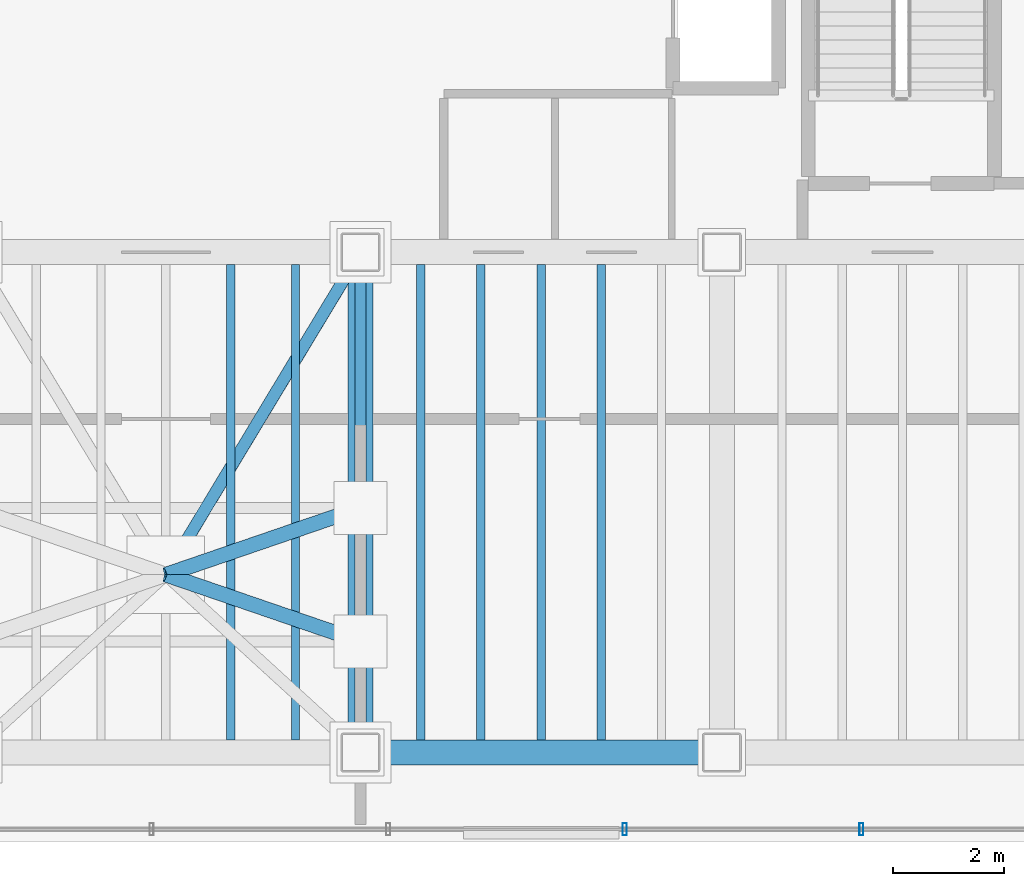
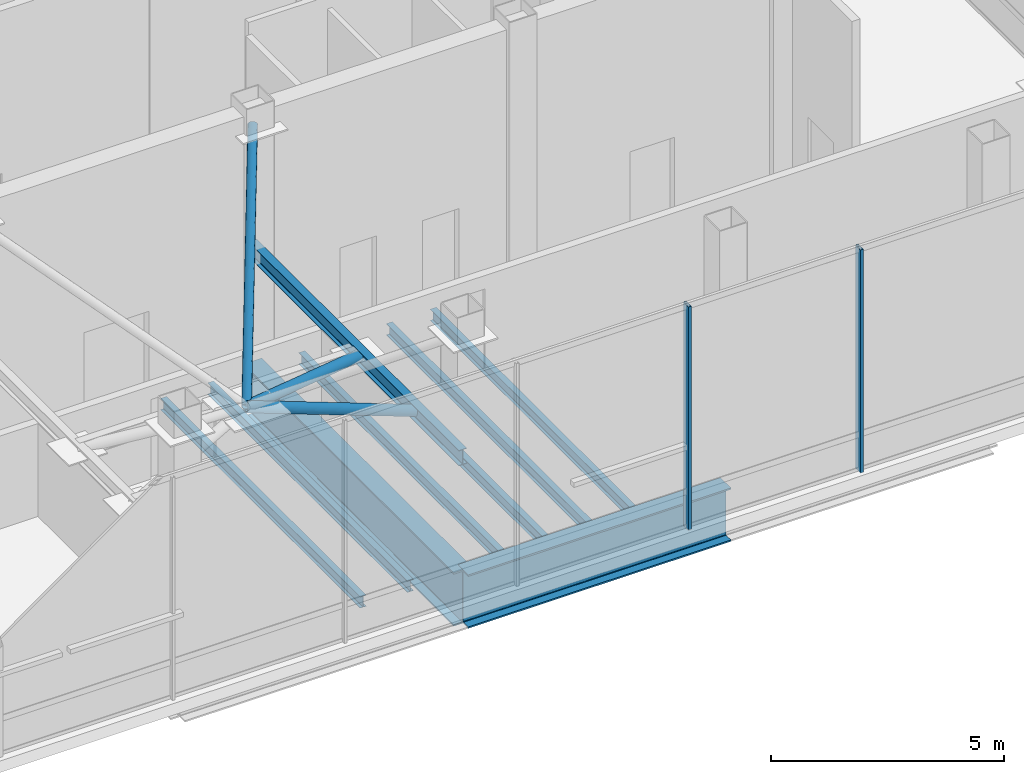
# One storey, part 9 of 19: 9 beams, 5 members, 1 element without a shape of its own.
"""IFC4 building model written with IfcOpenShell, lengths in metres."""

from ifc_helpers import new_model, si_unit, direction, frame, origin, origin_2d, place, context, subcontext, project, spatial, hollow_rectangle, hollow_circle, i_section, extrude, material, material_profile, profile_set, type_object, element, aggregate, save


model = new_model("IFC4")

# Units and contexts
model_context = context("Model", 3, precision=1e-05, world=origin(), true_north=direction((0.0, 1.0)))
body_context = subcontext(model_context, "Body", "Model", "MODEL_VIEW")
ifc_project = project(units=[si_unit("LENGTHUNIT", "METRE"), si_unit("AREAUNIT", "SQUARE_METRE"), si_unit("VOLUMEUNIT", "CUBIC_METRE"), si_unit("PLANEANGLEUNIT", "RADIAN"), si_unit("MASSUNIT", "GRAM", prefix="KILO")], contexts=[model_context])

# Site, building, storey
site_placement = place(None, origin())
site = spatial("IfcSite", under=ifc_project, at=site_placement, CompositionType="ELEMENT")
building_placement = place(site_placement, origin())
building = spatial("IfcBuilding", under=site, at=building_placement, Name="Noeulbin Bourse Tower", CompositionType="ELEMENT")
storey_placement = place(building_placement, frame((0.0, 0.0, 306.0)))
storey = spatial("IfcBuildingStorey", under=building, at=storey_placement, Name="L76", CompositionType="ELEMENT", Elevation=306.0)

# Beams
ifc_material_1 = material(Name="Steel S355", Category="steel")
ifc_material_profile_1 = material_profile(ifc_material_1, i_section(OverallWidth=0.14990234375, OverallDepth=0.300048828125, WebThickness=0.006591796875, FlangeThickness=0.009033203125, FilletRadius=0.012939453125, at=origin_2d()), Name="H-300x150x6.5x9", Category="LoadBearing")
ifc_profile_set_1 = profile_set([ifc_material_profile_1], Name="Steel S355")
beam_type_1 = type_object("IfcBeamType", Name="BM-JST-300", PredefinedType="JOIST", material=ifc_profile_set_1)
for number, where, z_axis, x_axis, name in (
    (1, (28.666748046875, 20.22509765625, -0.449951171875), (0.0, 1.0, 0.0), (-1.0, 0.0, 0.0), "Tower Composite Joist L76-07"),
    (2, (29.833251953125, 20.22509765625, -0.449951171875), (0.0, 1.0, 0.0), (-1.0, 0.0, 0.0), "Tower Composite Joist L76-09"),
    (3, (32.083251953125, 20.22509765625, -0.449951171875), (0.0, 1.0, 0.0), (-1.0, 0.0, 0.0), "Tower Composite Joist L76-11"),
    (4, (33.166748046875, 20.22509765625, -0.449951171875), (0.0, 1.0, 0.0), (-1.0, 0.0, 0.0), "Tower Composite Joist L76-13"),
    (5, (34.25, 20.22509765625, -0.449951171875), (0.0, 1.0, 0.0), (-1.0, 0.0, 0.0), "Tower Composite Joist L76-15"),
    (6, (35.333251953125, 20.22509765625, -0.449951171875), (0.0, 1.0, 0.0), (-1.0, 0.0, 0.0), "Tower Composite Joist L76-17"),
):
    element("IfcBeam", number, at=place(storey_placement, frame(where, z_axis=z_axis, x_axis=x_axis)), inside=storey, type_object=beam_type_1, Name=name, PredefinedType="JOIST", context=body_context, shape_type="SweptSolid", body=[
        extrude(i_section(OverallWidth=0.14990234375, OverallDepth=0.300048828125, WebThickness=0.006591796875, FlangeThickness=0.009033203125, FilletRadius=0.012939453125, at=origin_2d()), origin(), (0.0, 0.0, 1.0), 8.5498046875),
    ])
ifc_material_profile_2 = material_profile(ifc_material_1, i_section(OverallWidth=0.199951171875, OverallDepth=0.39990234375, WebThickness=0.008056640625, FlangeThickness=0.012939453125, FilletRadius=0.01611328125, at=origin_2d()), Name="H-400x200x8x13", Category="LoadBearing")
ifc_profile_set_2 = profile_set([ifc_material_profile_2], Name="Steel S355")
beam_type_2 = type_object("IfcBeamType", Name="BM-SEC-400", PredefinedType="BEAM", material=ifc_profile_set_2)
beam_1_placement = place(storey_placement, frame((31.0, 20.0, 2.64990234375), z_axis=(0.0, 1.0, 0.0), x_axis=(-1.0, 0.0, 0.0)))
element("IfcBeam", 7, at=beam_1_placement, inside=storey, type_object=beam_type_2, Name="TMD Overhead Ring Beam East", PredefinedType="BEAM", context=body_context, shape_type="SweptSolid", body=[
    extrude(i_section(OverallWidth=0.199951171875, OverallDepth=0.39990234375, WebThickness=0.008056640625, FlangeThickness=0.012939453125, FilletRadius=0.01611328125, at=origin_2d()), origin(), (0.0, 0.0, 1.0), 9.0),
])
ifc_material_2 = material(Name="Steel S460", Category="steel")
ifc_material_profile_3 = material_profile(ifc_material_2, i_section(OverallWidth=0.449951171875, OverallDepth=1.39990234375, WebThickness=0.02392578125, FlangeThickness=0.0400390625, FilletRadius=0.02392578125, at=origin_2d()), Name="PG-1400x450x24x40", Category="LoadBearing")
ifc_profile_set_3 = profile_set([ifc_material_profile_3], Name="Steel S460")
beam_type_3 = type_object("IfcBeamType", Name="BM-TRF-1400", PredefinedType="USERDEFINED", material=ifc_profile_set_3)
beam_2_placement = place(storey_placement, frame((31.0, 20.0, -1.0), z_axis=(1.0, 0.0, 0.0), x_axis=(0.0, 1.0, 0.0)))
element("IfcBeam", 8, at=beam_2_placement, inside=storey, type_object=beam_type_3, Name="Tower Primary Girder EW L76-1.2", ObjectType="GIRDER", PredefinedType="USERDEFINED", context=body_context, shape_type="SweptSolid", body=[
    extrude(i_section(OverallWidth=0.449951171875, OverallDepth=1.39990234375, WebThickness=0.02392578125, FlangeThickness=0.0400390625, FilletRadius=0.02392578125, at=origin_2d()), origin(), (0.0, 0.0, 1.0), 6.5),
])
beam_3_placement = place(storey_placement, frame((31.0, 20.0, -1.0), z_axis=(0.0, 1.0, 0.0), x_axis=(-1.0, 0.0, 0.0)))
element("IfcBeam", 9, at=beam_3_placement, inside=storey, type_object=beam_type_3, Name="Tower Primary Girder NS L76-3.1", ObjectType="GIRDER", PredefinedType="USERDEFINED", context=body_context, shape_type="SweptSolid", body=[
    extrude(i_section(OverallWidth=0.449951171875, OverallDepth=1.39990234375, WebThickness=0.02392578125, FlangeThickness=0.0400390625, FilletRadius=0.02392578125, at=origin_2d()), origin(), (0.0, 0.0, 1.0), 9.0),
])

# Curtain wall, members
ifc_material_3 = material(Name="Translucent Ceramic-Fritted Glass", Category="glass")
curtain_wall_type = type_object("IfcCurtainWallType", Name="CW-SYS-5", PredefinedType="NOTDEFINED", material=ifc_material_3)
curtain_wall_placement = place(storey_placement, origin())
curtain_wall = element("IfcCurtainWall", 10, at=curtain_wall_placement, inside=storey, type_object=curtain_wall_type, Name="Unitised Curtain Wall CW-L76-S1", PredefinedType="NOTDEFINED")
ifc_material_4 = material(Name="Anodised Aluminium 6063-T6", Category="aluminium")
ifc_material_profile_4 = material_profile(ifc_material_4, hollow_rectangle(XDim=0.074951171875, YDim=0.219970703125, WallThickness=0.0048828125, InnerFilletRadius=0.00244140625, OuterFilletRadius=0.0048828125, at=origin_2d()), Name="ALU-MULL-75x220x5", Category="LoadBearing")
ifc_profile_set_4 = profile_set([ifc_material_profile_4], Name="Anodised Aluminium 6063-T6")
member_type_1 = type_object("IfcMemberType", Name="CW-SYS-5-MUL", PredefinedType="MULLION", material=ifc_profile_set_4)
member_1_placement = place(storey_placement, frame((35.7548828125, 18.6201171875, -0.02001953125), z_axis=(0.0, 0.0, 1.0), x_axis=(1.0, 0.0, 0.0)))
member_1 = element("IfcMember", 11, at=member_1_placement, type_object=member_type_1, Name="Curtain Wall Mullion CW-L76-S1-M05", PredefinedType="MULLION", context=body_context, shape_type="SweptSolid", body=[
    extrude(hollow_rectangle(XDim=0.074951171875, YDim=0.219970703125, WallThickness=0.0048828125, InnerFilletRadius=0.00244140625, OuterFilletRadius=0.0048828125, at=origin_2d()), origin(), (0.0, 0.0, 1.0), 5.840087890625),
])
member_2_placement = place(storey_placement, frame((40.010009765625, 18.6201171875, -0.02001953125), z_axis=(0.0, 0.0, 1.0), x_axis=(1.0, 0.0, 0.0)))
member_2 = element("IfcMember", 12, at=member_2_placement, type_object=member_type_1, Name="Curtain Wall Mullion CW-L76-S1-M06", PredefinedType="MULLION", context=body_context, shape_type="SweptSolid", body=[
    extrude(hollow_rectangle(XDim=0.074951171875, YDim=0.219970703125, WallThickness=0.0048828125, InnerFilletRadius=0.00244140625, OuterFilletRadius=0.0048828125, at=origin_2d()), origin(), (0.0, 0.0, 1.0), 5.840087890625),
])
aggregate(curtain_wall, [member_1, member_2])

# Members
ifc_material_profile_5 = material_profile(ifc_material_1, hollow_circle(Radius=0.1337890625, WallThickness=0.00927734375, at=origin_2d()), Name="CHS-267.4x9.3", Category="LoadBearing")
ifc_profile_set_5 = profile_set([ifc_material_profile_5], Name="Steel S355")
member_type_2 = type_object("IfcMemberType", Name="MEM-CRN-267", PredefinedType="STRUT", material=ifc_profile_set_5)
for number, where, z_axis, x_axis, name in (
    (13, (31.0, 22.0, 2.64990234375), (-0.9337484245, 0.320129290347, 0.160097211734), (-0.324312515579, -0.945949994576, 0.0), "Tuned Mass Damper Snubber Strut CT-2"),
    (14, (31.0, 24.39990234375, 2.64990234375), (-0.9337484245, -0.320129290347, 0.160097211734), (0.324312515579, -0.945949994576, 0.0), "Tuned Mass Damper Snubber Strut CT-4"),
):
    element("IfcMember", number, at=place(storey_placement, frame(where, z_axis=z_axis, x_axis=x_axis)), inside=storey, type_object=member_type_2, Name=name, PredefinedType="STRUT", context=body_context, shape_type="SweptSolid", body=[
        extrude(hollow_circle(Radius=0.1337890625, WallThickness=0.00927734375, at=origin_2d()), origin(), (0.0, 0.0, 1.0), 3.748291015625),
    ])
ifc_material_profile_6 = material_profile(ifc_material_1, hollow_circle(Radius=0.108154296875, WallThickness=0.00830078125, at=origin_2d()), Name="CHS-216.3x8.2", Category="LoadBearing")
ifc_profile_set_6 = profile_set([ifc_material_profile_6], Name="Steel S355")
member_type_3 = type_object("IfcMemberType", Name="MEM-TMD-216", PredefinedType="STRUT", material=ifc_profile_set_6)
member_3_placement = place(storey_placement, frame((31.0, 29.0, 5.889892578125), z_axis=(-0.48140002811, -0.797755333971, -0.363098388948), x_axis=(0.856189585154, -0.516661779382, 0.0)))
element("IfcMember", 15, at=member_3_placement, inside=storey, type_object=member_type_3, Name="Tuned Mass Damper Pendulum Tie Strut TM-4", PredefinedType="STRUT", context=body_context, shape_type="SweptSolid", body=[
    extrude(hollow_circle(Radius=0.108154296875, WallThickness=0.00830078125, at=origin_2d()), origin(), (0.0, 0.0, 1.0), 7.2705078125),
])

save(model, "model.ifc")
